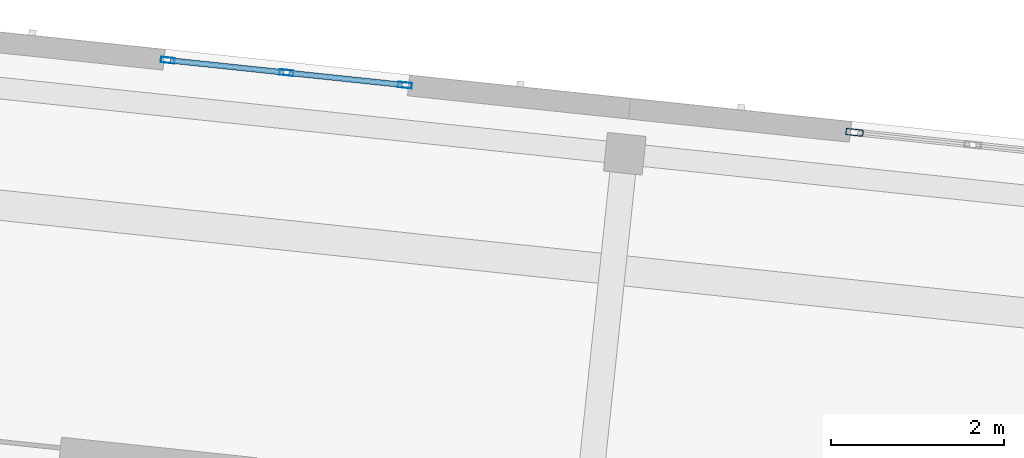
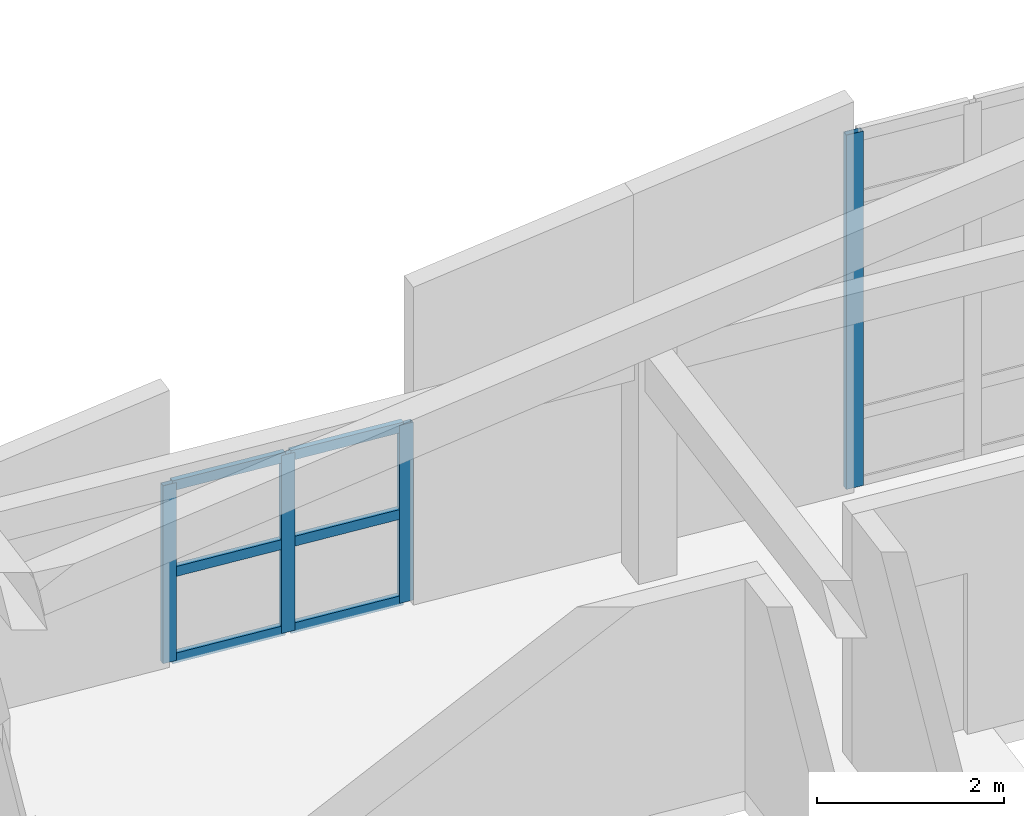
# One storey, part 7 of 31: 10 members, 2 elements without a shape of their own.
"""IFC4 building model written with IfcOpenShell, lengths in metres."""

from ifc_helpers import new_model, si_unit, direction, frame, origin, origin_2d, place, context, subcontext, project, spatial, hollow_rectangle, extrude, material, material_profile, profile_set, type_object, element, aggregate, save


model = new_model("IFC4")

# Units and contexts
model_context = context("Model", 3, precision=1e-05, world=origin(), true_north=direction((0.0, 1.0)))
body_context = subcontext(model_context, "Body", "Model", "MODEL_VIEW")
ifc_project = project(units=[si_unit("LENGTHUNIT", "METRE"), si_unit("AREAUNIT", "SQUARE_METRE"), si_unit("VOLUMEUNIT", "CUBIC_METRE"), si_unit("PLANEANGLEUNIT", "RADIAN"), si_unit("MASSUNIT", "GRAM", prefix="KILO")], contexts=[model_context])

# Site, building, storey
site_placement = place(None, origin())
site = spatial("IfcSite", under=ifc_project, at=site_placement, CompositionType="ELEMENT")
building_placement = place(site_placement, origin())
building = spatial("IfcBuilding", under=site, at=building_placement, Name="Kestramere Prow Commons", CompositionType="ELEMENT")
storey_placement = place(building_placement, frame((0.0, 0.0, 37.64990234375)))
storey = spatial("IfcBuildingStorey", under=building, at=storey_placement, Name="L11", CompositionType="ELEMENT", Elevation=37.64990234375)

# Curtain wall, members
ifc_material_1 = material(Name="Anodised Aluminium and Low-E Glass", Category="aluminium")
curtain_wall_type_1 = type_object("IfcCurtainWallType", Name="CW-03 Glazed Curtain Wall 2830x2320", PredefinedType="USERDEFINED", material=ifc_material_1)
curtain_wall_1_placement = place(storey_placement, origin())
curtain_wall_1 = element("IfcCurtainWall", 1, at=curtain_wall_1_placement, inside=storey, type_object=curtain_wall_type_1, Name="Block B L11 Stairwell Vertical Glazing 4", ObjectType="GLAZED CURTAIN WALL", PredefinedType="USERDEFINED")
ifc_material_2 = material(Name="Anodised Aluminium 6063-T6", Category="aluminium")
ifc_material_profile_1 = material_profile(ifc_material_2, hollow_rectangle(XDim=0.06494140625, YDim=0.159912109375, WallThickness=0.00390625, at=origin_2d()), Name="ALU-MUL 65x160")
ifc_profile_set_1 = profile_set([ifc_material_profile_1], Name="Anodised Aluminium 6063-T6")
member_type_1 = type_object("IfcMemberType", Name="CW-MUL-65x160", PredefinedType="MULLION", material=ifc_profile_set_1)
member_1_placement = place(storey_placement, frame((138.575439453125, 112.032470703125, 0.0), z_axis=(0.0, 0.0, 1.0), x_axis=(0.104528618845, 0.994521879016, 0.0)))
member_1 = element("IfcMember", 2, at=member_1_placement, type_object=member_type_1, Name="CW-03 mullion 1", PredefinedType="MULLION", context=body_context, shape_type="SweptSolid", body=[
    extrude(hollow_rectangle(XDim=0.06494140625, YDim=0.159912109375, WallThickness=0.00390625, at=origin_2d()), origin(), (0.0, 0.0, 1.0), 2.320068359375),
])
member_2_placement = place(storey_placement, frame((139.9501953125, 111.887939453125, 0.0), z_axis=(0.0, 0.0, 1.0), x_axis=(0.104528618845, 0.994521879016, 0.0)))
member_2 = element("IfcMember", 3, at=member_2_placement, type_object=member_type_1, Name="CW-03 mullion 2", PredefinedType="MULLION", context=body_context, shape_type="SweptSolid", body=[
    extrude(hollow_rectangle(XDim=0.06494140625, YDim=0.159912109375, WallThickness=0.00390625, at=origin_2d()), origin(), (0.0, 0.0, 1.0), 2.320068359375),
])
member_3_placement = place(storey_placement, frame((141.3251953125, 111.743408203125, 0.0), z_axis=(0.0, 0.0, 1.0), x_axis=(0.104528618845, 0.994521879016, 0.0)))
member_3 = element("IfcMember", 4, at=member_3_placement, type_object=member_type_1, Name="CW-03 mullion 3", PredefinedType="MULLION", context=body_context, shape_type="SweptSolid", body=[
    extrude(hollow_rectangle(XDim=0.06494140625, YDim=0.159912109375, WallThickness=0.00390625, at=origin_2d()), origin(), (0.0, 0.0, 1.0), 2.320068359375),
])

# Curtain wall, member
curtain_wall_type_2 = type_object("IfcCurtainWallType", Name="CW-06 Glazed Curtain Wall 2830x4620", PredefinedType="USERDEFINED", material=ifc_material_1)
curtain_wall_2_placement = place(storey_placement, origin())
curtain_wall_2 = element("IfcCurtainWall", 5, at=curtain_wall_2_placement, inside=storey, type_object=curtain_wall_type_2, Name="Block B L11 Stairwell Vertical Glazing 5", ObjectType="GLAZED CURTAIN WALL", PredefinedType="USERDEFINED")
ifc_material_profile_2 = material_profile(ifc_material_2, hollow_rectangle(XDim=0.074951171875, YDim=0.199951171875, WallThickness=0.0048828125, at=origin_2d()), Name="ALU-MUL 75x200")
ifc_profile_set_2 = profile_set([ifc_material_profile_2], Name="Anodised Aluminium 6063-T6")
member_type_2 = type_object("IfcMemberType", Name="CW-MUL-75x200", PredefinedType="MULLION", material=ifc_profile_set_2)
member_4_placement = place(storey_placement, frame((146.536376953125, 111.19580078125, 0.0), z_axis=(0.0, 0.0, 1.0), x_axis=(0.104528269348, 0.99452191575, 0.0)))
member_4 = element("IfcMember", 6, at=member_4_placement, type_object=member_type_2, Name="CW-06 mullion 1", PredefinedType="MULLION", context=body_context, shape_type="SweptSolid", body=[
    extrude(hollow_rectangle(XDim=0.074951171875, YDim=0.199951171875, WallThickness=0.0048828125, at=origin_2d()), origin(), (0.0, 0.0, 1.0), 4.619384765625),
])
aggregate(curtain_wall_2, [member_4])

# Member
ifc_material_profile_3 = material_profile(ifc_material_2, hollow_rectangle(XDim=0.06494140625, YDim=0.1298828125, WallThickness=0.00390625, at=origin_2d()), Name="ALU-TRN 65x130")
ifc_profile_set_3 = profile_set([ifc_material_profile_3], Name="Anodised Aluminium 6063-T6")
member_type_3 = type_object("IfcMemberType", Name="CW-TRN-65x130", PredefinedType="USERDEFINED", material=ifc_profile_set_3)
member_5_placement = place(storey_placement, frame((138.607666015625, 112.029052734375, 0.03271484375), z_axis=(0.994523714271, -0.104511156111, 0.0), x_axis=(0.104511156111, 0.994523714271, 0.0)))
member_5 = element("IfcMember", 7, at=member_5_placement, type_object=member_type_3, Name="CW-03 transom 1.1", ObjectType="TRANSOM", PredefinedType="USERDEFINED", context=body_context, shape_type="SweptSolid", body=[
    extrude(hollow_rectangle(XDim=0.06494140625, YDim=0.1298828125, WallThickness=0.00390625, at=origin_2d()), origin(), (0.0, 0.0, 1.0), 1.317626953125),
])

member_6_placement = place(storey_placement, frame((138.607666015625, 112.029052734375, 1.16015625), z_axis=(0.994523714271, -0.104511156111, 0.0), x_axis=(0.104511156111, 0.994523714271, 0.0)))
member_6 = element("IfcMember", 8, at=member_6_placement, type_object=member_type_3, Name="CW-03 transom 1.2", ObjectType="TRANSOM", PredefinedType="USERDEFINED", context=body_context, shape_type="SweptSolid", body=[
    extrude(hollow_rectangle(XDim=0.06494140625, YDim=0.1298828125, WallThickness=0.00390625, at=origin_2d()), origin(), (0.0, 0.0, 1.0), 1.317626953125),
])

member_7_placement = place(storey_placement, frame((138.607666015625, 112.029052734375, 2.28759765625), z_axis=(0.994523714271, -0.104511156111, 0.0), x_axis=(0.104511156111, 0.994523714271, 0.0)))
member_7 = element("IfcMember", 9, at=member_7_placement, type_object=member_type_3, Name="CW-03 transom 1.3", ObjectType="TRANSOM", PredefinedType="USERDEFINED", context=body_context, shape_type="SweptSolid", body=[
    extrude(hollow_rectangle(XDim=0.06494140625, YDim=0.1298828125, WallThickness=0.00390625, at=origin_2d()), origin(), (0.0, 0.0, 1.0), 1.317626953125),
])

member_8_placement = place(storey_placement, frame((139.982666015625, 111.884521484375, 0.03271484375), z_axis=(0.994523714271, -0.104511156111, 0.0), x_axis=(0.104511156111, 0.994523714271, 0.0)))
member_8 = element("IfcMember", 10, at=member_8_placement, type_object=member_type_3, Name="CW-03 transom 2.1", ObjectType="TRANSOM", PredefinedType="USERDEFINED", context=body_context, shape_type="SweptSolid", body=[
    extrude(hollow_rectangle(XDim=0.06494140625, YDim=0.1298828125, WallThickness=0.00390625, at=origin_2d()), origin(), (0.0, 0.0, 1.0), 1.317626953125),
])

member_9_placement = place(storey_placement, frame((139.982666015625, 111.884521484375, 1.16015625), z_axis=(0.994523714271, -0.104511156111, 0.0), x_axis=(0.104511156111, 0.994523714271, 0.0)))
member_9 = element("IfcMember", 11, at=member_9_placement, type_object=member_type_3, Name="CW-03 transom 2.2", ObjectType="TRANSOM", PredefinedType="USERDEFINED", context=body_context, shape_type="SweptSolid", body=[
    extrude(hollow_rectangle(XDim=0.06494140625, YDim=0.1298828125, WallThickness=0.00390625, at=origin_2d()), origin(), (0.0, 0.0, 1.0), 1.317626953125),
])

member_10_placement = place(storey_placement, frame((139.982666015625, 111.884521484375, 2.28759765625), z_axis=(0.994523714271, -0.104511156111, 0.0), x_axis=(0.104511156111, 0.994523714271, 0.0)))
member_10 = element("IfcMember", 12, at=member_10_placement, type_object=member_type_3, Name="CW-03 transom 2.3", ObjectType="TRANSOM", PredefinedType="USERDEFINED", context=body_context, shape_type="SweptSolid", body=[
    extrude(hollow_rectangle(XDim=0.06494140625, YDim=0.1298828125, WallThickness=0.00390625, at=origin_2d()), origin(), (0.0, 0.0, 1.0), 1.317626953125),
])

aggregate(curtain_wall_1, [member_1, member_2, member_3, member_5, member_6, member_7, member_8, member_9, member_10])

save(model, "model.ifc")
